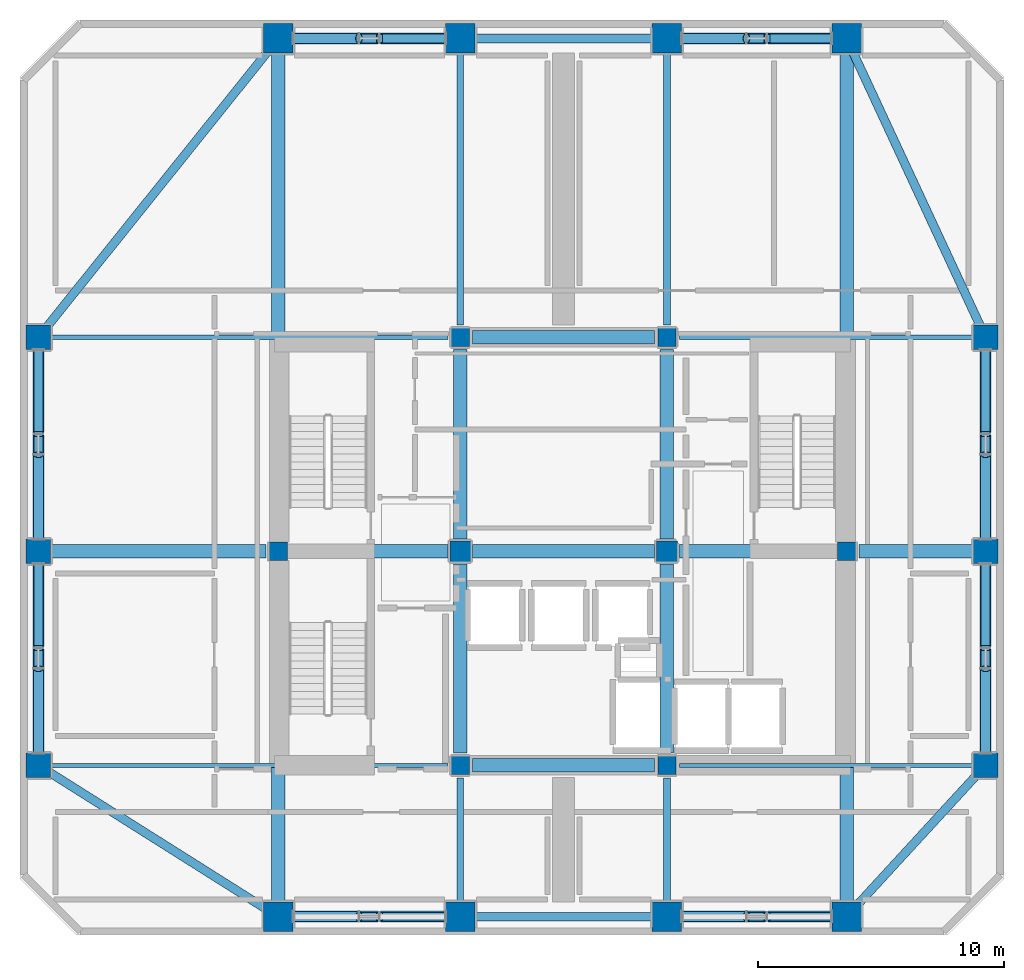
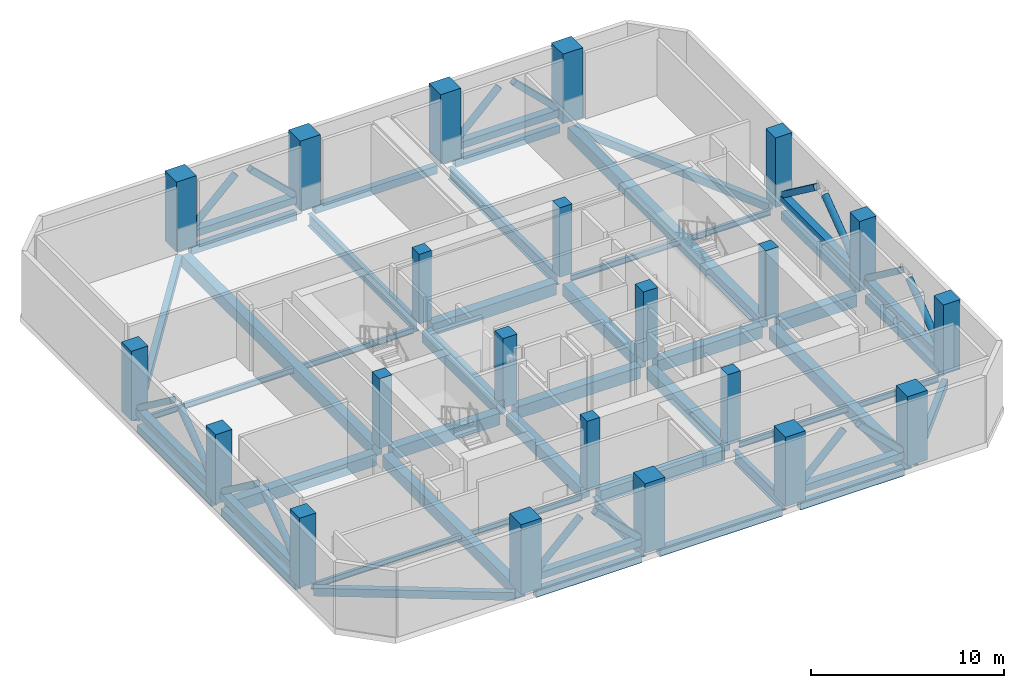
# One storey, part 1 of 12: 37 beams, 24 members, 22 columns.
"""IFC4 building model written with IfcOpenShell, lengths in metres."""

from ifc_helpers import new_model, si_unit, direction, frame, origin, origin_2d, place, context, subcontext, project, spatial, rectangle, hollow_rectangle, hollow_circle, i_section, extrude, material, material_profile, profile_set, type_object, element, save


model = new_model("IFC4")

# Units and contexts
model_context = context("Model", 3, precision=1e-05, world=origin(), true_north=direction((0.0, 1.0)))
body_context = subcontext(model_context, "Body", "Model", "MODEL_VIEW")
ifc_project = project(units=[si_unit("LENGTHUNIT", "METRE"), si_unit("AREAUNIT", "SQUARE_METRE"), si_unit("VOLUMEUNIT", "CUBIC_METRE"), si_unit("PLANEANGLEUNIT", "RADIAN"), si_unit("MASSUNIT", "GRAM", prefix="KILO")], contexts=[model_context])

# Site, building, storey
site_placement = place(None, origin())
site = spatial("IfcSite", under=ifc_project, at=site_placement, CompositionType="ELEMENT")
building_placement = place(site_placement, origin())
building = spatial("IfcBuilding", under=site, at=building_placement, Name="Solanera Arch Residences", CompositionType="ELEMENT")
storey_placement = place(building_placement, frame((0.0, 0.0, 172.47998046875)))
storey = spatial("IfcBuildingStorey", under=building, at=storey_placement, Name="L50", CompositionType="ELEMENT", Elevation=172.47998046875)

# Columns
ifc_material_1 = material(Name="Concrete C55/67 (f'c = 60 MPa)", Category="concrete")
ifc_material_profile_1 = material_profile(ifc_material_1, rectangle(XDim=1.0, YDim=1.0, at=origin_2d()))
ifc_profile_set_1 = profile_set([ifc_material_profile_1], Name="Concrete C55/67 (f'c = 60 MPa)")
column_type_1 = type_object("IfcColumnType", Name="Structural Column RC-COL-1000X1000", PredefinedType="COLUMN", material=ifc_profile_set_1)
for number, where, z_axis, x_axis, name in (
    (1, (3.64990234375, 22.0, 0.0), (0.0, 0.0, 1.0), (1.0, 0.0, 0.0), "COL-L50-TWR-09"),
    (2, (42.14990234375, 22.0, 0.0), (0.0, 0.0, 1.0), (1.0, 0.0, 0.0), "COL-L50-TWR-10"),
    (3, (3.64990234375, 30.699951171875, 0.0), (0.0, 0.0, 1.0), (1.0, 0.0, 0.0), "COL-L50-TWR-11"),
    (4, (42.14990234375, 30.699951171875, 0.0), (0.0, 0.0, 1.0), (1.0, 0.0, 0.0), "COL-L50-TWR-12"),
    (5, (3.64990234375, 39.39990234375, 0.0), (0.0, 0.0, 1.0), (1.0, 0.0, 0.0), "COL-L50-TWR-13"),
    (6, (42.14990234375, 39.39990234375, 0.0), (0.0, 0.0, 1.0), (1.0, 0.0, 0.0), "COL-L50-TWR-14"),
):
    element("IfcColumn", number, at=place(storey_placement, frame(where, z_axis=z_axis, x_axis=x_axis)), inside=storey, type_object=column_type_1, Name=name, PredefinedType="COLUMN", context=body_context, shape_type="SweptSolid", body=[
        extrude(rectangle(XDim=1.0, YDim=1.0, at=origin_2d()), origin(), (0.0, 0.0, 1.0), 4.39990234375),
    ])
ifc_material_2 = material(Name="Concrete C55/67 (f'c = 60 MPa)", Category="concrete")
ifc_material_profile_2 = material_profile(ifc_material_2, rectangle(XDim=1.199951171875, YDim=1.199951171875, at=origin_2d()))
ifc_profile_set_2 = profile_set([ifc_material_profile_2], Name="Concrete C55/67 (f'c = 60 MPa)")
column_type_2 = type_object("IfcColumnType", Name="Structural Column RC-COL-1200X1200", PredefinedType="COLUMN", material=ifc_profile_set_2)
for number, where, z_axis, x_axis, name in (
    (7, (13.39990234375, 15.85009765625, 0.0), (0.0, 0.0, 1.0), (1.0, 0.0, 0.0), "COL-L50-TWR-01"),
    (8, (13.39990234375, 51.550048828125, 0.0), (0.0, 0.0, 1.0), (1.0, 0.0, 0.0), "COL-L50-TWR-02"),
    (9, (20.800048828125, 15.85009765625, 0.0), (0.0, 0.0, 1.0), (1.0, 0.0, 0.0), "COL-L50-TWR-03"),
    (10, (20.800048828125, 51.550048828125, 0.0), (0.0, 0.0, 1.0), (1.0, 0.0, 0.0), "COL-L50-TWR-04"),
    (11, (29.199951171875, 15.85009765625, 0.0), (0.0, 0.0, 1.0), (1.0, 0.0, 0.0), "COL-L50-TWR-05"),
    (12, (29.199951171875, 51.550048828125, 0.0), (0.0, 0.0, 1.0), (1.0, 0.0, 0.0), "COL-L50-TWR-06"),
    (13, (36.5, 15.85009765625, 0.0), (0.0, 0.0, 1.0), (1.0, 0.0, 0.0), "COL-L50-TWR-07"),
    (14, (36.5, 51.550048828125, 0.0), (0.0, 0.0, 1.0), (1.0, 0.0, 0.0), "COL-L50-TWR-08"),
):
    element("IfcColumn", number, at=place(storey_placement, frame(where, z_axis=z_axis, x_axis=x_axis)), inside=storey, type_object=column_type_2, Name=name, PredefinedType="COLUMN", context=body_context, shape_type="SweptSolid", body=[
        extrude(rectangle(XDim=1.199951171875, YDim=1.199951171875, at=origin_2d()), origin(), (0.0, 0.0, 1.0), 4.39990234375),
    ])
ifc_material_3 = material(Name="Concrete C40/50 (f'c = 45 MPa)", Category="concrete")
ifc_material_profile_3 = material_profile(ifc_material_3, rectangle(XDim=0.75, YDim=0.75, at=origin_2d()))
ifc_profile_set_3 = profile_set([ifc_material_profile_3], Name="Concrete C40/50 (f'c = 45 MPa)")
column_type_3 = type_object("IfcColumnType", Name="Structural Column RC-COL-750X750", PredefinedType="COLUMN", material=ifc_profile_set_3)
for number, where, z_axis, x_axis, name in (
    (15, (20.800048828125, 22.0, 0.0), (0.0, 0.0, 1.0), (1.0, 0.0, 0.0), "COL-L50-CB-SW"),
    (16, (29.199951171875, 22.0, 0.0), (0.0, 0.0, 1.0), (1.0, 0.0, 0.0), "COL-L50-CB-SE"),
    (17, (20.800048828125, 39.39990234375, 0.0), (0.0, 0.0, 1.0), (1.0, 0.0, 0.0), "COL-L50-CB-NW"),
    (18, (29.199951171875, 39.39990234375, 0.0), (0.0, 0.0, 1.0), (1.0, 0.0, 0.0), "COL-L50-CB-NE"),
    (19, (13.39990234375, 30.699951171875, 0.0), (0.0, 0.0, 1.0), (1.0, 0.0, 0.0), "COL-L50-CB-WW"),
    (20, (36.5, 30.699951171875, 0.0), (0.0, 0.0, 1.0), (1.0, 0.0, 0.0), "COL-L50-CB-EE"),
):
    element("IfcColumn", number, at=place(storey_placement, frame(where, z_axis=z_axis, x_axis=x_axis)), inside=storey, type_object=column_type_3, Name=name, PredefinedType="COLUMN", context=body_context, shape_type="SweptSolid", body=[
        extrude(rectangle(XDim=0.75, YDim=0.75, at=origin_2d()), origin(), (0.0, 0.0, 1.0), 4.39990234375),
    ])
ifc_material_4 = material(Name="Concrete C40/50 (f'c = 45 MPa)", Category="concrete")
ifc_material_profile_4 = material_profile(ifc_material_4, rectangle(XDim=0.85009765625, YDim=0.85009765625, at=origin_2d()))
ifc_profile_set_4 = profile_set([ifc_material_profile_4], Name="Concrete C40/50 (f'c = 45 MPa)")
column_type_4 = type_object("IfcColumnType", Name="Structural Column RC-COL-850X850", PredefinedType="COLUMN", material=ifc_profile_set_4)
for number, where, z_axis, x_axis, name in (
    (21, (20.800048828125, 30.699951171875, 0.0), (0.0, 0.0, 1.0), (1.0, 0.0, 0.0), "COL-L50-CORE-W"),
    (22, (29.199951171875, 30.699951171875, 0.0), (0.0, 0.0, 1.0), (1.0, 0.0, 0.0), "COL-L50-CORE-E"),
):
    element("IfcColumn", number, at=place(storey_placement, frame(where, z_axis=z_axis, x_axis=x_axis)), inside=storey, type_object=column_type_4, Name=name, PredefinedType="COLUMN", context=body_context, shape_type="SweptSolid", body=[
        extrude(rectangle(XDim=0.85009765625, YDim=0.85009765625, at=origin_2d()), origin(), (0.0, 0.0, 1.0), 4.39990234375),
    ])

# Members
ifc_material_5 = material(Name="Steel S355 (ASTM A992 / A572 Grade 50)", Category="steel")
ifc_material_profile_5 = material_profile(ifc_material_5, hollow_circle(Radius=0.203125, WallThickness=0.01611328125, at=origin_2d()))
ifc_profile_set_5 = profile_set([ifc_material_profile_5], Name="Steel S355 (ASTM A992 / A572 Grade 50)")
member_type_1 = type_object("IfcMemberType", Name="Belt Brace CHS406.4X16", PredefinedType="BRACE", material=ifc_profile_set_5)
member_1_placement = place(storey_placement, frame((14.02001953125, 15.85009765625, 0.695068359375), z_axis=(0.723215376717, 0.0, 0.690622558914), x_axis=(0.0, 1.0, 0.0)))
element("IfcMember", 23, at=member_1_placement, inside=storey, type_object=member_type_1, Name="L50 Belt Truss Diagonal 1A", PredefinedType="BRACE", context=body_context, shape_type="SweptSolid", body=[
    extrude(hollow_circle(Radius=0.203125, WallThickness=0.01611328125, at=origin_2d()), origin(), (0.0, 0.0, 1.0), 3.677978515625),
])
member_2_placement = place(storey_placement, frame((29.820068359375, 15.85009765625, 0.695068359375), z_axis=(0.716628122435, 0.0, 0.697455471077), x_axis=(0.0, 1.0, 0.0)))
element("IfcMember", 24, at=member_2_placement, inside=storey, type_object=member_type_1, Name="L50 Belt Truss Diagonal 2A", PredefinedType="BRACE", context=body_context, shape_type="SweptSolid", body=[
    extrude(hollow_circle(Radius=0.203125, WallThickness=0.01611328125, at=origin_2d()), origin(), (0.0, 0.0, 1.0), 3.641845703125),
])
member_3_placement = place(storey_placement, frame((14.02001953125, 51.550048828125, 0.695068359375), z_axis=(0.723215376717, 0.0, 0.690622558914), x_axis=(0.0, 1.0, 0.0)))
element("IfcMember", 25, at=member_3_placement, inside=storey, type_object=member_type_1, Name="L50 Belt Truss Diagonal 3A", PredefinedType="BRACE", context=body_context, shape_type="SweptSolid", body=[
    extrude(hollow_circle(Radius=0.203125, WallThickness=0.01611328125, at=origin_2d()), origin(), (0.0, 0.0, 1.0), 3.677978515625),
])
member_4_placement = place(storey_placement, frame((29.820068359375, 51.550048828125, 0.695068359375), z_axis=(0.716628122435, 0.0, 0.697455471077), x_axis=(0.0, 1.0, 0.0)))
element("IfcMember", 26, at=member_4_placement, inside=storey, type_object=member_type_1, Name="L50 Belt Truss Diagonal 4A", PredefinedType="BRACE", context=body_context, shape_type="SweptSolid", body=[
    extrude(hollow_circle(Radius=0.203125, WallThickness=0.01611328125, at=origin_2d()), origin(), (0.0, 0.0, 1.0), 3.641845703125),
])
for number, where, z_axis, x_axis, name in (
    (27, (3.64990234375, 22.52001953125, 0.695068359375), (0.0, 0.801959416421, 0.59737851854), (-1.0, 0.0, 0.0), "L50 Belt Truss Diagonal 5A"),
    (28, (3.64990234375, 31.219970703125, 0.695068359375), (0.0, 0.801959416421, 0.59737851854), (-1.0, 0.0, 0.0), "L50 Belt Truss Diagonal 6A"),
    (29, (42.14990234375, 22.52001953125, 0.695068359375), (0.0, 0.801959416421, 0.59737851854), (-1.0, 0.0, 0.0), "L50 Belt Truss Diagonal 7A"),
    (30, (42.14990234375, 31.219970703125, 0.695068359375), (0.0, 0.801959416421, 0.59737851854), (-1.0, 0.0, 0.0), "L50 Belt Truss Diagonal 8A"),
):
    element("IfcMember", number, at=place(storey_placement, frame(where, z_axis=z_axis, x_axis=x_axis)), inside=storey, type_object=member_type_1, Name=name, PredefinedType="BRACE", context=body_context, shape_type="SweptSolid", body=[
        extrude(hollow_circle(Radius=0.203125, WallThickness=0.01611328125, at=origin_2d()), origin(), (0.0, 0.0, 1.0), 4.251953125),
    ])
ifc_material_6 = material(Name="Steel S355 (ASTM A992 / A572 Grade 50)", Category="steel")
ifc_material_profile_6 = material_profile(ifc_material_6, hollow_rectangle(XDim=0.449951171875, YDim=0.449951171875, WallThickness=0.01611328125, at=origin_2d()))
ifc_profile_set_6 = profile_set([ifc_material_profile_6], Name="Steel S355 (ASTM A992 / A572 Grade 50)")
member_type_2 = type_object("IfcMemberType", Name="Belt Chord HSS450X450X16", PredefinedType="CHORD", material=ifc_profile_set_6)
member_5_placement = place(storey_placement, frame((14.0, 15.85009765625, 0.449951171875), z_axis=(1.0, 0.0, 0.0), x_axis=(0.0, 1.0, 0.0)))
element("IfcMember", 31, at=member_5_placement, inside=storey, type_object=member_type_2, Name="L50 Belt Truss Chord 1", PredefinedType="CHORD", context=body_context, shape_type="SweptSolid", body=[
    extrude(hollow_rectangle(XDim=0.449951171875, YDim=0.449951171875, WallThickness=0.01611328125, at=origin_2d()), origin(), (0.0, 0.0, 1.0), 6.199951171875),
])
member_6_placement = place(storey_placement, frame((29.800048828125, 15.85009765625, 0.449951171875), z_axis=(1.0, 0.0, 0.0), x_axis=(0.0, 1.0, 0.0)))
element("IfcMember", 32, at=member_6_placement, inside=storey, type_object=member_type_2, Name="L50 Belt Truss Chord 2", PredefinedType="CHORD", context=body_context, shape_type="SweptSolid", body=[
    extrude(hollow_rectangle(XDim=0.449951171875, YDim=0.449951171875, WallThickness=0.01611328125, at=origin_2d()), origin(), (0.0, 0.0, 1.0), 6.099853515625),
])
member_7_placement = place(storey_placement, frame((14.0, 51.550048828125, 0.449951171875), z_axis=(1.0, 0.0, 0.0), x_axis=(0.0, 1.0, 0.0)))
element("IfcMember", 33, at=member_7_placement, inside=storey, type_object=member_type_2, Name="L50 Belt Truss Chord 3", PredefinedType="CHORD", context=body_context, shape_type="SweptSolid", body=[
    extrude(hollow_rectangle(XDim=0.449951171875, YDim=0.449951171875, WallThickness=0.01611328125, at=origin_2d()), origin(), (0.0, 0.0, 1.0), 6.199951171875),
])
member_8_placement = place(storey_placement, frame((29.800048828125, 51.550048828125, 0.449951171875), z_axis=(1.0, 0.0, 0.0), x_axis=(0.0, 1.0, 0.0)))
element("IfcMember", 34, at=member_8_placement, inside=storey, type_object=member_type_2, Name="L50 Belt Truss Chord 4", PredefinedType="CHORD", context=body_context, shape_type="SweptSolid", body=[
    extrude(hollow_rectangle(XDim=0.449951171875, YDim=0.449951171875, WallThickness=0.01611328125, at=origin_2d()), origin(), (0.0, 0.0, 1.0), 6.099853515625),
])
for number, where, z_axis, x_axis, name in (
    (35, (3.64990234375, 22.5, 0.449951171875), (0.0, 1.0, 0.0), (-1.0, 0.0, 0.0), "L50 Belt Truss Chord 5"),
    (36, (3.64990234375, 31.199951171875, 0.449951171875), (0.0, 1.0, 0.0), (-1.0, 0.0, 0.0), "L50 Belt Truss Chord 6"),
    (37, (42.14990234375, 22.5, 0.449951171875), (0.0, 1.0, 0.0), (-1.0, 0.0, 0.0), "L50 Belt Truss Chord 7"),
    (38, (42.14990234375, 31.199951171875, 0.449951171875), (0.0, 1.0, 0.0), (-1.0, 0.0, 0.0), "L50 Belt Truss Chord 8"),
):
    element("IfcMember", number, at=place(storey_placement, frame(where, z_axis=z_axis, x_axis=x_axis)), inside=storey, type_object=member_type_2, Name=name, PredefinedType="CHORD", context=body_context, shape_type="SweptSolid", body=[
        extrude(hollow_rectangle(XDim=0.449951171875, YDim=0.449951171875, WallThickness=0.01611328125, at=origin_2d()), origin(), (0.0, 0.0, 1.0), 7.699951171875),
    ])
ifc_material_7 = material(Name="Steel S355 (ASTM A992 / A572 Grade 50)", Category="steel")
ifc_material_profile_7 = material_profile(ifc_material_7, hollow_rectangle(XDim=0.35009765625, YDim=0.35009765625, WallThickness=0.012451171875, at=origin_2d()))
ifc_profile_set_7 = profile_set([ifc_material_profile_7], Name="Steel S355 (ASTM A992 / A572 Grade 50)")
member_type_3 = type_object("IfcMemberType", Name="Outrigger Brace HSS350X350X12.5", PredefinedType="BRACE", material=ifc_profile_set_7)
member_9_placement = place(storey_placement, frame((20.179931640625, 15.85009765625, 0.695068359375), z_axis=(-0.723215376717, 0.0, 0.690622558914), x_axis=(0.0, -1.0, 0.0)))
element("IfcMember", 39, at=member_9_placement, inside=storey, type_object=member_type_3, Name="L50 Belt Truss Diagonal 1B", PredefinedType="BRACE", context=body_context, shape_type="SweptSolid", body=[
    extrude(hollow_rectangle(XDim=0.35009765625, YDim=0.35009765625, WallThickness=0.012451171875, at=origin_2d()), origin(), (0.0, 0.0, 1.0), 3.677978515625),
])
member_10_placement = place(storey_placement, frame((35.8798828125, 15.85009765625, 0.695068359375), z_axis=(-0.716628122435, 0.0, 0.697455471077), x_axis=(0.0, -1.0, 0.0)))
element("IfcMember", 40, at=member_10_placement, inside=storey, type_object=member_type_3, Name="L50 Belt Truss Diagonal 2B", PredefinedType="BRACE", context=body_context, shape_type="SweptSolid", body=[
    extrude(hollow_rectangle(XDim=0.35009765625, YDim=0.35009765625, WallThickness=0.012451171875, at=origin_2d()), origin(), (0.0, 0.0, 1.0), 3.641845703125),
])
member_11_placement = place(storey_placement, frame((20.179931640625, 51.550048828125, 0.695068359375), z_axis=(-0.723215376717, 0.0, 0.690622558914), x_axis=(0.0, -1.0, 0.0)))
element("IfcMember", 41, at=member_11_placement, inside=storey, type_object=member_type_3, Name="L50 Belt Truss Diagonal 3B", PredefinedType="BRACE", context=body_context, shape_type="SweptSolid", body=[
    extrude(hollow_rectangle(XDim=0.35009765625, YDim=0.35009765625, WallThickness=0.012451171875, at=origin_2d()), origin(), (0.0, 0.0, 1.0), 3.677978515625),
])
member_12_placement = place(storey_placement, frame((35.8798828125, 51.550048828125, 0.695068359375), z_axis=(-0.716628122435, 0.0, 0.697455471077), x_axis=(0.0, -1.0, 0.0)))
element("IfcMember", 42, at=member_12_placement, inside=storey, type_object=member_type_3, Name="L50 Belt Truss Diagonal 4B", PredefinedType="BRACE", context=body_context, shape_type="SweptSolid", body=[
    extrude(hollow_rectangle(XDim=0.35009765625, YDim=0.35009765625, WallThickness=0.012451171875, at=origin_2d()), origin(), (0.0, 0.0, 1.0), 3.641845703125),
])
for number, where, z_axis, x_axis, name in (
    (43, (3.64990234375, 30.179931640625, 0.695068359375), (0.0, -0.801959416421, 0.59737851854), (1.0, 0.0, 0.0), "L50 Belt Truss Diagonal 5B"),
    (44, (3.64990234375, 38.8798828125, 0.695068359375), (0.0, -0.801959416421, 0.59737851854), (1.0, 0.0, 0.0), "L50 Belt Truss Diagonal 6B"),
    (45, (42.14990234375, 30.179931640625, 0.695068359375), (0.0, -0.801959416421, 0.59737851854), (1.0, 0.0, 0.0), "L50 Belt Truss Diagonal 7B"),
    (46, (42.14990234375, 38.8798828125, 0.695068359375), (0.0, -0.801959416421, 0.59737851854), (1.0, 0.0, 0.0), "L50 Belt Truss Diagonal 8B"),
):
    element("IfcMember", number, at=place(storey_placement, frame(where, z_axis=z_axis, x_axis=x_axis)), inside=storey, type_object=member_type_3, Name=name, PredefinedType="BRACE", context=body_context, shape_type="SweptSolid", body=[
        extrude(hollow_rectangle(XDim=0.35009765625, YDim=0.35009765625, WallThickness=0.012451171875, at=origin_2d()), origin(), (0.0, 0.0, 1.0), 4.251953125),
    ])

# Beams
ifc_material_8 = material(Name="Concrete C40/50 (f'c = 45 MPa)", Category="concrete")
ifc_material_profile_8 = material_profile(ifc_material_8, rectangle(XDim=0.550048828125, YDim=0.75, at=origin_2d()))
ifc_profile_set_8 = profile_set([ifc_material_profile_8], Name="Concrete C40/50 (f'c = 45 MPa)")
beam_type_1 = type_object("IfcBeamType", Name="Primary Beam RC-BM-550X750", PredefinedType="BEAM", material=ifc_profile_set_8)
beam_1_placement = place(storey_placement, frame((20.800048828125, 22.50390625, -0.73486328125), z_axis=(0.0, 1.0, 0.0), x_axis=(-1.0, 0.0, 0.0)))
element("IfcBeam", 47, at=beam_1_placement, inside=storey, type_object=beam_type_1, Name="BM-L50-CC-S-208", PredefinedType="BEAM", context=body_context, shape_type="SweptSolid", body=[
    extrude(rectangle(XDim=0.550048828125, YDim=0.75, at=origin_2d()), origin(), (0.0, 0.0, 1.0), 7.692138671875),
])
beam_2_placement = place(storey_placement, frame((20.800048828125, 31.2041015625, -0.73486328125), z_axis=(0.0, 1.0, 0.0), x_axis=(-1.0, 0.0, 0.0)))
element("IfcBeam", 48, at=beam_2_placement, inside=storey, type_object=beam_type_1, Name="BM-L50-CC-N-208", PredefinedType="BEAM", context=body_context, shape_type="SweptSolid", body=[
    extrude(rectangle(XDim=0.550048828125, YDim=0.75, at=origin_2d()), origin(), (0.0, 0.0, 1.0), 7.69189453125),
])
beam_3_placement = place(storey_placement, frame((29.199951171875, 22.50390625, -0.73486328125), z_axis=(0.0, 1.0, 0.0), x_axis=(-1.0, 0.0, 0.0)))
element("IfcBeam", 49, at=beam_3_placement, inside=storey, type_object=beam_type_1, Name="BM-L50-CC-S-292", PredefinedType="BEAM", context=body_context, shape_type="SweptSolid", body=[
    extrude(rectangle(XDim=0.550048828125, YDim=0.75, at=origin_2d()), origin(), (0.0, 0.0, 1.0), 7.692138671875),
])
beam_4_placement = place(storey_placement, frame((29.199951171875, 31.2041015625, -0.73486328125), z_axis=(0.0, 1.0, 0.0), x_axis=(-1.0, 0.0, 0.0)))
element("IfcBeam", 50, at=beam_4_placement, inside=storey, type_object=beam_type_1, Name="BM-L50-CC-N-292", PredefinedType="BEAM", context=body_context, shape_type="SweptSolid", body=[
    extrude(rectangle(XDim=0.550048828125, YDim=0.75, at=origin_2d()), origin(), (0.0, 0.0, 1.0), 7.69189453125),
])
for number, where, z_axis, x_axis, name in (
    (51, (21.303955078125, 22.0, -0.73486328125), (1.0, 0.0, 0.0), (0.0, 1.0, 0.0), "BM-L50-CC-M-220"),
    (52, (21.303955078125, 30.699951171875, -0.73486328125), (1.0, 0.0, 0.0), (0.0, 1.0, 0.0), "BM-L50-CC-M-307"),
    (53, (21.303955078125, 39.39990234375, -0.73486328125), (1.0, 0.0, 0.0), (0.0, 1.0, 0.0), "BM-L50-CC-M-394"),
):
    element("IfcBeam", number, at=place(storey_placement, frame(where, z_axis=z_axis, x_axis=x_axis)), inside=storey, type_object=beam_type_1, Name=name, PredefinedType="BEAM", context=body_context, shape_type="SweptSolid", body=[
        extrude(rectangle(XDim=0.550048828125, YDim=0.75, at=origin_2d()), origin(), (0.0, 0.0, 1.0), 7.39208984375),
    ])
beam_5_placement = place(storey_placement, frame((13.904052734375, 30.699951171875, -0.73486328125), z_axis=(1.0, 0.0, 0.0), x_axis=(0.0, 1.0, 0.0)))
element("IfcBeam", 54, at=beam_5_placement, inside=storey, type_object=beam_type_1, Name="BM-L50-CC-W", PredefinedType="BEAM", context=body_context, shape_type="SweptSolid", body=[
    extrude(rectangle(XDim=0.550048828125, YDim=0.75, at=origin_2d()), origin(), (0.0, 0.0, 1.0), 6.391845703125),
])
beam_6_placement = place(storey_placement, frame((29.7041015625, 30.699951171875, -0.73486328125), z_axis=(1.0, 0.0, 0.0), x_axis=(0.0, 1.0, 0.0)))
element("IfcBeam", 55, at=beam_6_placement, inside=storey, type_object=beam_type_1, Name="BM-L50-CC-E", PredefinedType="BEAM", context=body_context, shape_type="SweptSolid", body=[
    extrude(rectangle(XDim=0.550048828125, YDim=0.75, at=origin_2d()), origin(), (0.0, 0.0, 1.0), 6.2919921875),
])
beam_7_placement = place(storey_placement, frame((13.39990234375, 16.389892578125, -0.73486328125), z_axis=(0.0, 1.0, 0.0), x_axis=(-1.0, 0.0, 0.0)))
element("IfcBeam", 56, at=beam_7_placement, inside=storey, type_object=beam_type_1, Name="BM-L50-RAD-OS-134", PredefinedType="BEAM", context=body_context, shape_type="SweptSolid", body=[
    extrude(rectangle(XDim=0.550048828125, YDim=0.75, at=origin_2d()), origin(), (0.0, 0.0, 1.0), 13.80615234375),
])
beam_8_placement = place(storey_placement, frame((13.39990234375, 31.2041015625, -0.73486328125), z_axis=(0.0, 1.0, 0.0), x_axis=(-1.0, 0.0, 0.0)))
element("IfcBeam", 57, at=beam_8_placement, inside=storey, type_object=beam_type_1, Name="BM-L50-RAD-ON-134", PredefinedType="BEAM", context=body_context, shape_type="SweptSolid", body=[
    extrude(rectangle(XDim=0.550048828125, YDim=0.75, at=origin_2d()), origin(), (0.0, 0.0, 1.0), 19.805908203125),
])
beam_9_placement = place(storey_placement, frame((36.5, 16.389892578125, -0.73486328125), z_axis=(0.0, 1.0, 0.0), x_axis=(-1.0, 0.0, 0.0)))
element("IfcBeam", 58, at=beam_9_placement, inside=storey, type_object=beam_type_1, Name="BM-L50-RAD-OS-365", PredefinedType="BEAM", context=body_context, shape_type="SweptSolid", body=[
    extrude(rectangle(XDim=0.550048828125, YDim=0.75, at=origin_2d()), origin(), (0.0, 0.0, 1.0), 13.80615234375),
])
beam_10_placement = place(storey_placement, frame((36.5, 31.2041015625, -0.73486328125), z_axis=(0.0, 1.0, 0.0), x_axis=(-1.0, 0.0, 0.0)))
element("IfcBeam", 59, at=beam_10_placement, inside=storey, type_object=beam_type_1, Name="BM-L50-RAD-ON-365", PredefinedType="BEAM", context=body_context, shape_type="SweptSolid", body=[
    extrude(rectangle(XDim=0.550048828125, YDim=0.75, at=origin_2d()), origin(), (0.0, 0.0, 1.0), 19.805908203125),
])
beam_11_placement = place(storey_placement, frame((4.154052734375, 30.699951171875, -0.73486328125), z_axis=(1.0, 0.0, 0.0), x_axis=(0.0, 1.0, 0.0)))
element("IfcBeam", 60, at=beam_11_placement, inside=storey, type_object=beam_type_1, Name="BM-L50-RAD-MW", PredefinedType="BEAM", context=body_context, shape_type="SweptSolid", body=[
    extrude(rectangle(XDim=0.550048828125, YDim=0.75, at=origin_2d()), origin(), (0.0, 0.0, 1.0), 8.741943359375),
])
beam_12_placement = place(storey_placement, frame((37.00390625, 30.699951171875, -0.73486328125), z_axis=(1.0, 0.0, 0.0), x_axis=(0.0, 1.0, 0.0)))
element("IfcBeam", 61, at=beam_12_placement, inside=storey, type_object=beam_type_1, Name="BM-L50-RAD-ME", PredefinedType="BEAM", context=body_context, shape_type="SweptSolid", body=[
    extrude(rectangle(XDim=0.550048828125, YDim=0.75, at=origin_2d()), origin(), (0.0, 0.0, 1.0), 4.64208984375),
])
ifc_material_9 = material(Name="Steel S355 (ASTM A992 / A572 Grade 50)", Category="steel")
ifc_material_profile_9 = material_profile(ifc_material_9, i_section(OverallWidth=0.26806640625, OverallDepth=0.77001953125, WebThickness=0.015625, FlangeThickness=0.025390625, at=origin_2d()))
ifc_profile_set_9 = profile_set([ifc_material_profile_9], Name="Steel S355 (ASTM A992 / A572 Grade 50)")
beam_type_2 = type_object("IfcBeamType", Name="Primary Beam W760X196", PredefinedType="BEAM", material=ifc_profile_set_9)
beam_13_placement = place(storey_placement, frame((20.800048828125, 16.389892578125, -0.744873046875), z_axis=(0.0, 1.0, 0.0), x_axis=(-1.0, 0.0, 0.0)))
element("IfcBeam", 62, at=beam_13_placement, inside=storey, type_object=beam_type_2, Name="BM-L50-RAD-S-208", PredefinedType="BEAM", context=body_context, shape_type="SweptSolid", body=[
    extrude(i_section(OverallWidth=0.26806640625, OverallDepth=0.77001953125, WebThickness=0.015625, FlangeThickness=0.025390625, at=origin_2d()), origin(), (0.0, 0.0, 1.0), 5.106201171875),
])
beam_14_placement = place(storey_placement, frame((20.800048828125, 39.904052734375, -0.744873046875), z_axis=(0.0, 1.0, 0.0), x_axis=(-1.0, 0.0, 0.0)))
element("IfcBeam", 63, at=beam_14_placement, inside=storey, type_object=beam_type_2, Name="BM-L50-RAD-N-208", PredefinedType="BEAM", context=body_context, shape_type="SweptSolid", body=[
    extrude(i_section(OverallWidth=0.26806640625, OverallDepth=0.77001953125, WebThickness=0.015625, FlangeThickness=0.025390625, at=origin_2d()), origin(), (0.0, 0.0, 1.0), 11.10595703125),
])
beam_15_placement = place(storey_placement, frame((29.199951171875, 16.389892578125, -0.744873046875), z_axis=(0.0, 1.0, 0.0), x_axis=(-1.0, 0.0, 0.0)))
element("IfcBeam", 64, at=beam_15_placement, inside=storey, type_object=beam_type_2, Name="BM-L50-RAD-S-292", PredefinedType="BEAM", context=body_context, shape_type="SweptSolid", body=[
    extrude(i_section(OverallWidth=0.26806640625, OverallDepth=0.77001953125, WebThickness=0.015625, FlangeThickness=0.025390625, at=origin_2d()), origin(), (0.0, 0.0, 1.0), 5.106201171875),
])
beam_16_placement = place(storey_placement, frame((29.199951171875, 39.904052734375, -0.744873046875), z_axis=(0.0, 1.0, 0.0), x_axis=(-1.0, 0.0, 0.0)))
element("IfcBeam", 65, at=beam_16_placement, inside=storey, type_object=beam_type_2, Name="BM-L50-RAD-N-292", PredefinedType="BEAM", context=body_context, shape_type="SweptSolid", body=[
    extrude(i_section(OverallWidth=0.26806640625, OverallDepth=0.77001953125, WebThickness=0.015625, FlangeThickness=0.025390625, at=origin_2d()), origin(), (0.0, 0.0, 1.0), 11.10595703125),
])
ifc_material_10 = material(Name="Steel S355 (ASTM A992 / A572 Grade 50)", Category="steel")
ifc_material_profile_10 = material_profile(ifc_material_10, i_section(OverallWidth=0.172119140625, OverallDepth=0.35791015625, WebThickness=0.0078125, FlangeThickness=0.01318359375, at=origin_2d()))
ifc_profile_set_10 = profile_set([ifc_material_profile_10], Name="Steel S355 (ASTM A992 / A572 Grade 50)")
beam_type_3 = type_object("IfcBeamType", Name="Secondary Joist W360X57.8", PredefinedType="JOIST", material=ifc_profile_set_10)
beam_17_placement = place(storey_placement, frame((4.154052734375, 22.0, -0.5390625), z_axis=(1.0, 0.0, 0.0), x_axis=(0.0, 1.0, 0.0)))
element("IfcBeam", 66, at=beam_17_placement, inside=storey, type_object=beam_type_3, Name="BM-L50-RAD-W-220", PredefinedType="JOIST", context=body_context, shape_type="SweptSolid", body=[
    extrude(i_section(OverallWidth=0.172119140625, OverallDepth=0.35791015625, WebThickness=0.0078125, FlangeThickness=0.01318359375, at=origin_2d()), origin(), (0.0, 0.0, 1.0), 16.141845703125),
])
beam_18_placement = place(storey_placement, frame((29.7041015625, 22.0, -0.5390625), z_axis=(1.0, 0.0, 0.0), x_axis=(0.0, 1.0, 0.0)))
element("IfcBeam", 67, at=beam_18_placement, inside=storey, type_object=beam_type_3, Name="BM-L50-RAD-E-220", PredefinedType="JOIST", context=body_context, shape_type="SweptSolid", body=[
    extrude(i_section(OverallWidth=0.172119140625, OverallDepth=0.35791015625, WebThickness=0.0078125, FlangeThickness=0.01318359375, at=origin_2d()), origin(), (0.0, 0.0, 1.0), 11.94189453125),
])
beam_19_placement = place(storey_placement, frame((4.154052734375, 39.39990234375, -0.5390625), z_axis=(1.0, 0.0, 0.0), x_axis=(0.0, 1.0, 0.0)))
element("IfcBeam", 68, at=beam_19_placement, inside=storey, type_object=beam_type_3, Name="BM-L50-RAD-W-394", PredefinedType="JOIST", context=body_context, shape_type="SweptSolid", body=[
    extrude(i_section(OverallWidth=0.172119140625, OverallDepth=0.35791015625, WebThickness=0.0078125, FlangeThickness=0.01318359375, at=origin_2d()), origin(), (0.0, 0.0, 1.0), 16.141845703125),
])
beam_20_placement = place(storey_placement, frame((29.7041015625, 39.39990234375, -0.5390625), z_axis=(1.0, 0.0, 0.0), x_axis=(0.0, 1.0, 0.0)))
element("IfcBeam", 69, at=beam_20_placement, inside=storey, type_object=beam_type_3, Name="BM-L50-RAD-E-394", PredefinedType="JOIST", context=body_context, shape_type="SweptSolid", body=[
    extrude(i_section(OverallWidth=0.172119140625, OverallDepth=0.35791015625, WebThickness=0.0078125, FlangeThickness=0.01318359375, at=origin_2d()), origin(), (0.0, 0.0, 1.0), 11.94189453125),
])
ifc_material_11 = material(Name="Concrete C40/50 (f'c = 45 MPa)", Category="concrete")
ifc_material_profile_11 = material_profile(ifc_material_11, rectangle(XDim=0.35009765625, YDim=0.5, at=origin_2d()))
ifc_profile_set_11 = profile_set([ifc_material_profile_11], Name="Concrete C40/50 (f'c = 45 MPa)")
beam_type_4 = type_object("IfcBeamType", Name="Spandrel Beam RC-BM-350X500", PredefinedType="SPANDREL", material=ifc_profile_set_11)
for number, where, z_axis, x_axis, name in (
    (70, (13.93994140625, 15.85009765625, -0.60986328125), (1.0, 0.0, 0.0), (0.0, 1.0, 0.0), "BM-L50-SPN-S-1"),
    (71, (13.93994140625, 51.550048828125, -0.60986328125), (1.0, 0.0, 0.0), (0.0, 1.0, 0.0), "BM-L50-SPN-N-1"),
):
    element("IfcBeam", number, at=place(storey_placement, frame(where, z_axis=z_axis, x_axis=x_axis)), inside=storey, type_object=beam_type_4, Name=name, PredefinedType="SPANDREL", context=body_context, shape_type="SweptSolid", body=[
        extrude(rectangle(XDim=0.35009765625, YDim=0.5, at=origin_2d()), origin(), (0.0, 0.0, 1.0), 6.320068359375),
    ])
for number, where, z_axis, x_axis, name in (
    (72, (21.340087890625, 15.85009765625, -0.60986328125), (1.0, 0.0, 0.0), (0.0, 1.0, 0.0), "BM-L50-SPN-S-2"),
    (73, (21.340087890625, 51.550048828125, -0.60986328125), (1.0, 0.0, 0.0), (0.0, 1.0, 0.0), "BM-L50-SPN-N-2"),
):
    element("IfcBeam", number, at=place(storey_placement, frame(where, z_axis=z_axis, x_axis=x_axis)), inside=storey, type_object=beam_type_4, Name=name, PredefinedType="SPANDREL", context=body_context, shape_type="SweptSolid", body=[
        extrude(rectangle(XDim=0.35009765625, YDim=0.5, at=origin_2d()), origin(), (0.0, 0.0, 1.0), 7.31982421875),
    ])
for number, where, z_axis, x_axis, name in (
    (74, (29.739990234375, 15.85009765625, -0.60986328125), (1.0, 0.0, 0.0), (0.0, 1.0, 0.0), "BM-L50-SPN-S-3"),
    (75, (29.739990234375, 51.550048828125, -0.60986328125), (1.0, 0.0, 0.0), (0.0, 1.0, 0.0), "BM-L50-SPN-N-3"),
):
    element("IfcBeam", number, at=place(storey_placement, frame(where, z_axis=z_axis, x_axis=x_axis)), inside=storey, type_object=beam_type_4, Name=name, PredefinedType="SPANDREL", context=body_context, shape_type="SweptSolid", body=[
        extrude(rectangle(XDim=0.35009765625, YDim=0.5, at=origin_2d()), origin(), (0.0, 0.0, 1.0), 6.219970703125),
    ])
for number, where, z_axis, x_axis, name in (
    (76, (3.64990234375, 22.50390625, -0.60986328125), (0.0, 1.0, 0.0), (-1.0, 0.0, 0.0), "BM-L50-SPN-W-1"),
    (77, (42.14990234375, 22.50390625, -0.60986328125), (0.0, 1.0, 0.0), (-1.0, 0.0, 0.0), "BM-L50-SPN-E-1"),
):
    element("IfcBeam", number, at=place(storey_placement, frame(where, z_axis=z_axis, x_axis=x_axis)), inside=storey, type_object=beam_type_4, Name=name, PredefinedType="SPANDREL", context=body_context, shape_type="SweptSolid", body=[
        extrude(rectangle(XDim=0.35009765625, YDim=0.5, at=origin_2d()), origin(), (0.0, 0.0, 1.0), 7.692138671875),
    ])
for number, where, z_axis, x_axis, name in (
    (78, (3.64990234375, 31.2041015625, -0.60986328125), (0.0, 1.0, 0.0), (-1.0, 0.0, 0.0), "BM-L50-SPN-W-2"),
    (79, (42.14990234375, 31.2041015625, -0.60986328125), (0.0, 1.0, 0.0), (-1.0, 0.0, 0.0), "BM-L50-SPN-E-2"),
):
    element("IfcBeam", number, at=place(storey_placement, frame(where, z_axis=z_axis, x_axis=x_axis)), inside=storey, type_object=beam_type_4, Name=name, PredefinedType="SPANDREL", context=body_context, shape_type="SweptSolid", body=[
        extrude(rectangle(XDim=0.35009765625, YDim=0.5, at=origin_2d()), origin(), (0.0, 0.0, 1.0), 7.69189453125),
    ])
beam_21_placement = place(storey_placement, frame((12.943115234375, 16.137939453125, -0.60986328125), z_axis=(-0.845781416305, 0.53352956416, 0.0), x_axis=(-0.53352956416, -0.845781416305, 0.0)))
element("IfcBeam", 80, at=beam_21_placement, inside=storey, type_object=beam_type_4, Name="BM-L50-SPN-SW", PredefinedType="SPANDREL", context=body_context, shape_type="SweptSolid", body=[
    extrude(rectangle(XDim=0.35009765625, YDim=0.5, at=origin_2d()), origin(), (0.0, 0.0, 1.0), 10.447265625),
])
beam_22_placement = place(storey_placement, frame((13.06201171875, 51.12890625, -0.60986328125), z_axis=(-0.625858715022, -0.77993645179, 0.0), x_axis=(0.77993645179, -0.625858715022, 0.0)))
element("IfcBeam", 81, at=beam_22_placement, inside=storey, type_object=beam_type_4, Name="BM-L50-SPN-NW", PredefinedType="SPANDREL", context=body_context, shape_type="SweptSolid", body=[
    extrude(rectangle(XDim=0.35009765625, YDim=0.5, at=origin_2d()), origin(), (0.0, 0.0, 1.0), 14.49853515625),
])
beam_23_placement = place(storey_placement, frame((36.864990234375, 16.248046875, -0.60986328125), z_axis=(0.67662725737, 0.736325712293, 0.0), x_axis=(-0.736325712293, 0.67662725737, 0.0)))
element("IfcBeam", 82, at=beam_23_placement, inside=storey, type_object=beam_type_4, Name="BM-L50-SPN-SE", PredefinedType="SPANDREL", context=body_context, shape_type="SweptSolid", body=[
    extrude(rectangle(XDim=0.35009765625, YDim=0.5, at=origin_2d()), origin(), (0.0, 0.0, 1.0), 7.271240234375),
])
beam_24_placement = place(storey_placement, frame((36.72802734375, 51.06005859375, -0.60986328125), z_axis=(0.421641700363, -0.906762524874, 0.0), x_axis=(0.906762524874, 0.421641700363, 0.0)))
element("IfcBeam", 83, at=beam_24_placement, inside=storey, type_object=beam_type_4, Name="BM-L50-SPN-NE", PredefinedType="SPANDREL", context=body_context, shape_type="SweptSolid", body=[
    extrude(rectangle(XDim=0.35009765625, YDim=0.5, at=origin_2d()), origin(), (0.0, 0.0, 1.0), 12.31884765625),
])

save(model, "model.ifc")
